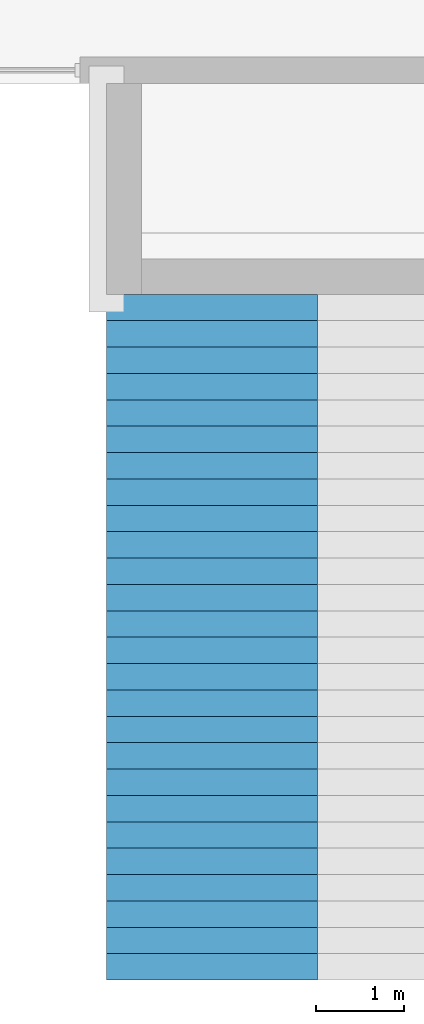
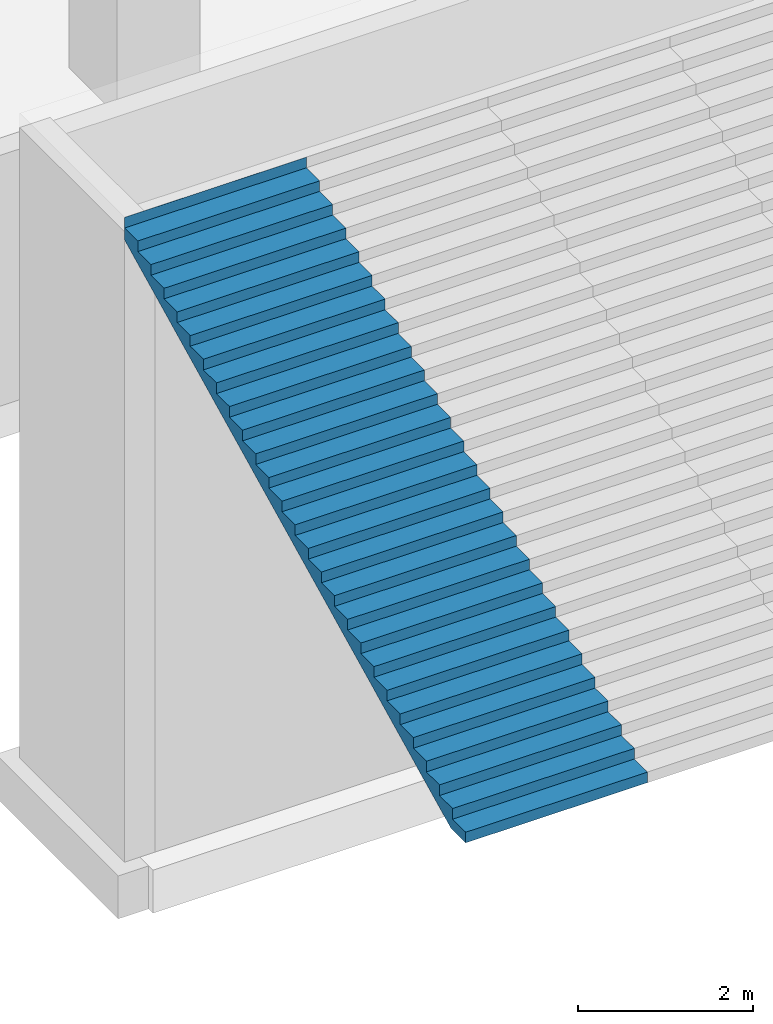
# One storey, part 23 of 45: 1 stair flight, 1 element without a shape of its own.
"""IFC4 building model written with IfcOpenShell, lengths in metres."""

from ifc_helpers import new_model, si_unit, direction, frame, origin, place, context, subcontext, project, spatial, triangles, material, type_object, element, aggregate, save


model = new_model("IFC4")

# Units and contexts
model_context = context("Model", 3, precision=1e-05, world=origin(), true_north=direction((0.0, 1.0)))
body_context = subcontext(model_context, "Body", "Model", "MODEL_VIEW")
ifc_project = project(units=[si_unit("LENGTHUNIT", "METRE"), si_unit("AREAUNIT", "SQUARE_METRE"), si_unit("VOLUMEUNIT", "CUBIC_METRE"), si_unit("PLANEANGLEUNIT", "RADIAN"), si_unit("MASSUNIT", "GRAM", prefix="KILO")], contexts=[model_context])

# Site, building, storey
site_placement = place(None, origin())
site = spatial("IfcSite", under=ifc_project, at=site_placement, CompositionType="ELEMENT")
building_placement = place(site_placement, origin())
building = spatial("IfcBuilding", under=site, at=building_placement, Name="Beryl Residences", CompositionType="ELEMENT")
storey_placement = place(building_placement, frame((0.0, 0.0, 5.0)))
storey = spatial("IfcBuildingStorey", under=building, at=storey_placement, Name="L01", CompositionType="ELEMENT", Elevation=5.0)

# Stair, stair flight
ifc_material_1 = material(Name="Precast concrete C40/50", Category="concrete")
stair_type = type_object("IfcStairType", Name="GS2 garden stair", PredefinedType="STRAIGHT_RUN_STAIR", material=ifc_material_1)
stair_placement = place(storey_placement, origin())
stair = element("IfcStair", 1, at=stair_placement, inside=storey, type_object=stair_type, Name="GS2 garden stair", PredefinedType="STRAIGHT_RUN_STAIR")
ifc_material_2 = material(Name="Precast concrete C40/50", Category="concrete")
stair_flight_type = type_object("IfcStairFlightType", Name="GF2 garden stair flight", PredefinedType="STRAIGHT", material=ifc_material_2)
stair_flight_placement = place(storey_placement, frame((-10.800048828125, -42.199951171875, 0.0), z_axis=(0.0, 0.0, 1.0), x_axis=(0.0, 1.0, 0.0)))
stair_flight = element("IfcStairFlight", 2, at=stair_flight_placement, type_object=stair_flight_type, Name="GS2 flight 1", NumberOfRisers=27, NumberOfTreads=26, PredefinedType="STRAIGHT", RiserHeight=0.148148148, TreadLength=0.3, context=body_context, shape_type="Tessellation", body=[
    triangles([(0.0, -1.199951171875, 0.0), (0.0, -0.60009765625, 0.0), (0.0, 0.0, 0.0), (0.0, 0.60009765625, 0.0), (0.0, 1.199951171875, 0.0), (0.0, -1.199951171875, 0.148193359375), (0.0, -0.60009765625, 0.148193359375), (0.0, 0.0, 0.148193359375), (0.0, 0.60009765625, 0.148193359375), (0.0, 1.199951171875, 0.148193359375), (0.300048828125, -1.199951171875, 0.148193359375), (0.300048828125, -0.60009765625, 0.148193359375), (0.300048828125, 0.0, 0.148193359375), (0.300048828125, 0.60009765625, 0.148193359375), (0.300048828125, 1.199951171875, 0.148193359375), (0.300048828125, -1.199951171875, 0.29638671875), (0.300048828125, -0.60009765625, 0.29638671875), (0.300048828125, 0.0, 0.29638671875), (0.300048828125, 0.60009765625, 0.29638671875), (0.300048828125, 1.199951171875, 0.29638671875), (0.60009765625, -1.199951171875, 0.29638671875), (0.60009765625, -0.60009765625, 0.29638671875), (0.60009765625, 0.0, 0.29638671875), (0.60009765625, 0.60009765625, 0.29638671875), (0.60009765625, 1.199951171875, 0.29638671875), (0.60009765625, -1.199951171875, 0.4443359375), (0.60009765625, -0.60009765625, 0.4443359375), (0.60009765625, 0.0, 0.4443359375), (0.60009765625, 0.60009765625, 0.4443359375), (0.60009765625, 1.199951171875, 0.4443359375), (0.89990234375, -1.199951171875, 0.4443359375), (0.89990234375, -0.60009765625, 0.4443359375), (0.89990234375, 0.0, 0.4443359375), (0.89990234375, 0.60009765625, 0.4443359375), (0.89990234375, 1.199951171875, 0.4443359375), (0.89990234375, -1.199951171875, 0.592529296875), (0.89990234375, -0.60009765625, 0.592529296875), (0.89990234375, 0.0, 0.592529296875), (0.89990234375, 0.60009765625, 0.592529296875), (0.89990234375, 1.199951171875, 0.592529296875), (1.199951171875, -1.199951171875, 0.592529296875), (1.199951171875, -0.60009765625, 0.592529296875), (1.199951171875, 0.0, 0.592529296875), (1.199951171875, 0.60009765625, 0.592529296875), (1.199951171875, 1.199951171875, 0.592529296875), (1.199951171875, -1.199951171875, 0.74072265625), (1.199951171875, -0.60009765625, 0.74072265625), (1.199951171875, 0.0, 0.74072265625), (1.199951171875, 0.60009765625, 0.74072265625), (1.199951171875, 1.199951171875, 0.74072265625), (1.5, -1.199951171875, 0.74072265625), (1.5, -0.60009765625, 0.74072265625), (1.5, 0.0, 0.74072265625), (1.5, 0.60009765625, 0.74072265625), (1.5, 1.199951171875, 0.74072265625), (1.5, -1.199951171875, 0.888916015625), (1.5, -0.60009765625, 0.888916015625), (1.5, 0.0, 0.888916015625), (1.5, 0.60009765625, 0.888916015625), (1.5, 1.199951171875, 0.888916015625), (1.800048828125, -1.199951171875, 0.888916015625), (1.800048828125, -0.60009765625, 0.888916015625), (1.800048828125, 0.0, 0.888916015625), (1.800048828125, 0.60009765625, 0.888916015625), (1.800048828125, 1.199951171875, 0.888916015625), (1.800048828125, -1.199951171875, 1.037109375), (1.800048828125, -0.60009765625, 1.037109375), (1.800048828125, 0.0, 1.037109375), (1.800048828125, 0.60009765625, 1.037109375), (1.800048828125, 1.199951171875, 1.037109375), (2.10009765625, -1.199951171875, 1.037109375), (2.10009765625, -0.60009765625, 1.037109375), (2.10009765625, 0.0, 1.037109375), (2.10009765625, 0.60009765625, 1.037109375), (2.10009765625, 1.199951171875, 1.037109375), (2.10009765625, -1.199951171875, 1.185302734375), (2.10009765625, -0.60009765625, 1.185302734375), (2.10009765625, 0.0, 1.185302734375), (2.10009765625, 0.60009765625, 1.185302734375), (2.10009765625, 1.199951171875, 1.185302734375), (2.39990234375, -1.199951171875, 1.185302734375), (2.39990234375, -0.60009765625, 1.185302734375), (2.39990234375, 0.0, 1.185302734375), (2.39990234375, 0.60009765625, 1.185302734375), (2.39990234375, 1.199951171875, 1.185302734375), (2.39990234375, -1.199951171875, 1.333251953125), (2.39990234375, -0.60009765625, 1.333251953125), (2.39990234375, 0.0, 1.333251953125), (2.39990234375, 0.60009765625, 1.333251953125), (2.39990234375, 1.199951171875, 1.333251953125), (2.699951171875, -1.199951171875, 1.333251953125), (2.699951171875, -0.60009765625, 1.333251953125), (2.699951171875, 0.0, 1.333251953125), (2.699951171875, 0.60009765625, 1.333251953125), (2.699951171875, 1.199951171875, 1.333251953125), (2.699951171875, -1.199951171875, 1.4814453125), (2.699951171875, -0.60009765625, 1.4814453125), (2.699951171875, 0.0, 1.4814453125), (2.699951171875, 0.60009765625, 1.4814453125), (2.699951171875, 1.199951171875, 1.4814453125), (3.0, -1.199951171875, 1.4814453125), (3.0, -0.60009765625, 1.4814453125), (3.0, 0.0, 1.4814453125), (3.0, 0.60009765625, 1.4814453125), (3.0, 1.199951171875, 1.4814453125), (3.0, -1.199951171875, 1.629638671875), (3.0, -0.60009765625, 1.629638671875), (3.0, 0.0, 1.629638671875), (3.0, 0.60009765625, 1.629638671875), (3.0, 1.199951171875, 1.629638671875), (3.300048828125, -1.199951171875, 1.629638671875), (3.300048828125, -0.60009765625, 1.629638671875), (3.300048828125, 0.0, 1.629638671875), (3.300048828125, 0.60009765625, 1.629638671875), (3.300048828125, 1.199951171875, 1.629638671875), (3.300048828125, -1.199951171875, 1.77783203125), (3.300048828125, -0.60009765625, 1.77783203125), (3.300048828125, 0.0, 1.77783203125), (3.300048828125, 0.60009765625, 1.77783203125), (3.300048828125, 1.199951171875, 1.77783203125), (3.60009765625, -1.199951171875, 1.77783203125), (3.60009765625, -0.60009765625, 1.77783203125), (3.60009765625, 0.0, 1.77783203125), (3.60009765625, 0.60009765625, 1.77783203125), (3.60009765625, 1.199951171875, 1.77783203125), (3.60009765625, -1.199951171875, 1.926025390625), (3.60009765625, -0.60009765625, 1.926025390625), (3.60009765625, 0.0, 1.926025390625), (3.60009765625, 0.60009765625, 1.926025390625), (3.60009765625, 1.199951171875, 1.926025390625), (3.89990234375, -1.199951171875, 1.926025390625), (3.89990234375, -0.60009765625, 1.926025390625), (3.89990234375, 0.0, 1.926025390625), (3.89990234375, 0.60009765625, 1.926025390625), (3.89990234375, 1.199951171875, 1.926025390625), (3.89990234375, -1.199951171875, 2.073974609375), (3.89990234375, -0.60009765625, 2.073974609375), (3.89990234375, 0.0, 2.073974609375), (3.89990234375, 0.60009765625, 2.073974609375), (3.89990234375, 1.199951171875, 2.073974609375), (4.199951171875, -1.199951171875, 2.073974609375), (4.199951171875, -0.60009765625, 2.073974609375), (4.199951171875, 0.0, 2.073974609375), (4.199951171875, 0.60009765625, 2.073974609375), (4.199951171875, 1.199951171875, 2.073974609375), (4.199951171875, -1.199951171875, 2.22216796875), (4.199951171875, -0.60009765625, 2.22216796875), (4.199951171875, 0.0, 2.22216796875), (4.199951171875, 0.60009765625, 2.22216796875), (4.199951171875, 1.199951171875, 2.22216796875), (4.5, -1.199951171875, 2.22216796875), (4.5, -0.60009765625, 2.22216796875), (4.5, 0.0, 2.22216796875), (4.5, 0.60009765625, 2.22216796875), (4.5, 1.199951171875, 2.22216796875), (4.5, -1.199951171875, 2.370361328125), (4.5, -0.60009765625, 2.370361328125), (4.5, 0.0, 2.370361328125), (4.5, 0.60009765625, 2.370361328125), (4.5, 1.199951171875, 2.370361328125), (4.800048828125, -1.199951171875, 2.370361328125), (4.800048828125, -0.60009765625, 2.370361328125), (4.800048828125, 0.0, 2.370361328125), (4.800048828125, 0.60009765625, 2.370361328125), (4.800048828125, 1.199951171875, 2.370361328125), (4.800048828125, -1.199951171875, 2.5185546875), (4.800048828125, -0.60009765625, 2.5185546875), (4.800048828125, 0.0, 2.5185546875), (4.800048828125, 0.60009765625, 2.5185546875), (4.800048828125, 1.199951171875, 2.5185546875), (5.10009765625, -1.199951171875, 2.5185546875), (5.10009765625, -0.60009765625, 2.5185546875), (5.10009765625, 0.0, 2.5185546875), (5.10009765625, 0.60009765625, 2.5185546875), (5.10009765625, 1.199951171875, 2.5185546875), (5.10009765625, -1.199951171875, 2.666748046875), (5.10009765625, -0.60009765625, 2.666748046875), (5.10009765625, 0.0, 2.666748046875), (5.10009765625, 0.60009765625, 2.666748046875), (5.10009765625, 1.199951171875, 2.666748046875), (5.39990234375, -1.199951171875, 2.666748046875), (5.39990234375, -0.60009765625, 2.666748046875), (5.39990234375, 0.0, 2.666748046875), (5.39990234375, 0.60009765625, 2.666748046875), (5.39990234375, 1.199951171875, 2.666748046875), (5.39990234375, -1.199951171875, 2.814697265625), (5.39990234375, -0.60009765625, 2.814697265625), (5.39990234375, 0.0, 2.814697265625), (5.39990234375, 0.60009765625, 2.814697265625), (5.39990234375, 1.199951171875, 2.814697265625), (5.699951171875, -1.199951171875, 2.814697265625), (5.699951171875, -0.60009765625, 2.814697265625), (5.699951171875, 0.0, 2.814697265625), (5.699951171875, 0.60009765625, 2.814697265625), (5.699951171875, 1.199951171875, 2.814697265625), (5.699951171875, -1.199951171875, 2.962890625), (5.699951171875, -0.60009765625, 2.962890625), (5.699951171875, 0.0, 2.962890625), (5.699951171875, 0.60009765625, 2.962890625), (5.699951171875, 1.199951171875, 2.962890625), (6.0, -1.199951171875, 2.962890625), (6.0, -0.60009765625, 2.962890625), (6.0, 0.0, 2.962890625), (6.0, 0.60009765625, 2.962890625), (6.0, 1.199951171875, 2.962890625), (6.0, -1.199951171875, 3.111083984375), (6.0, -0.60009765625, 3.111083984375), (6.0, 0.0, 3.111083984375), (6.0, 0.60009765625, 3.111083984375), (6.0, 1.199951171875, 3.111083984375), (6.300048828125, -1.199951171875, 3.111083984375), (6.300048828125, -0.60009765625, 3.111083984375), (6.300048828125, 0.0, 3.111083984375), (6.300048828125, 0.60009765625, 3.111083984375), (6.300048828125, 1.199951171875, 3.111083984375), (6.300048828125, -1.199951171875, 3.25927734375), (6.300048828125, -0.60009765625, 3.25927734375), (6.300048828125, 0.0, 3.25927734375), (6.300048828125, 0.60009765625, 3.25927734375), (6.300048828125, 1.199951171875, 3.25927734375), (6.60009765625, -1.199951171875, 3.25927734375), (6.60009765625, -0.60009765625, 3.25927734375), (6.60009765625, 0.0, 3.25927734375), (6.60009765625, 0.60009765625, 3.25927734375), (6.60009765625, 1.199951171875, 3.25927734375), (6.60009765625, -1.199951171875, 3.407470703125), (6.60009765625, -0.60009765625, 3.407470703125), (6.60009765625, 0.0, 3.407470703125), (6.60009765625, 0.60009765625, 3.407470703125), (6.60009765625, 1.199951171875, 3.407470703125), (6.89990234375, -1.199951171875, 3.407470703125), (6.89990234375, -0.60009765625, 3.407470703125), (6.89990234375, 0.0, 3.407470703125), (6.89990234375, 0.60009765625, 3.407470703125), (6.89990234375, 1.199951171875, 3.407470703125), (6.89990234375, -1.199951171875, 3.5556640625), (6.89990234375, -0.60009765625, 3.5556640625), (6.89990234375, 0.0, 3.5556640625), (6.89990234375, 0.60009765625, 3.5556640625), (6.89990234375, 1.199951171875, 3.5556640625), (7.199951171875, -1.199951171875, 3.5556640625), (7.199951171875, -0.60009765625, 3.5556640625), (7.199951171875, 0.0, 3.5556640625), (7.199951171875, 0.60009765625, 3.5556640625), (7.199951171875, 1.199951171875, 3.5556640625), (7.199951171875, -1.199951171875, 3.70361328125), (7.199951171875, -0.60009765625, 3.70361328125), (7.199951171875, 0.0, 3.70361328125), (7.199951171875, 0.60009765625, 3.70361328125), (7.199951171875, 1.199951171875, 3.70361328125), (7.5, -1.199951171875, 3.70361328125), (7.5, -0.60009765625, 3.70361328125), (7.5, 0.0, 3.70361328125), (7.5, 0.60009765625, 3.70361328125), (7.5, 1.199951171875, 3.70361328125), (7.5, -1.199951171875, 3.851806640625), (7.5, -0.60009765625, 3.851806640625), (7.5, 0.0, 3.851806640625), (7.5, 0.60009765625, 3.851806640625), (7.5, 1.199951171875, 3.851806640625), (7.800048828125, -1.199951171875, 3.851806640625), (7.800048828125, -0.60009765625, 3.851806640625), (7.800048828125, 0.0, 3.851806640625), (7.800048828125, 0.60009765625, 3.851806640625), (7.800048828125, 1.199951171875, 3.851806640625), (7.800048828125, -1.199951171875, 4.0), (7.800048828125, -0.60009765625, 4.0), (7.800048828125, 0.0, 4.0), (7.800048828125, 0.60009765625, 4.0), (7.800048828125, 1.199951171875, 4.0), (7.801025390625, -1.199951171875, 4.0), (7.801025390625, -0.60009765625, 4.0), (7.801025390625, 0.0, 4.0), (7.801025390625, 0.60009765625, 4.0), (7.801025390625, 1.199951171875, 4.0), (7.801025390625, -1.199951171875, 3.6845703125), (7.801025390625, -0.60009765625, 3.6845703125), (7.801025390625, 0.0, 3.6845703125), (7.801025390625, 0.60009765625, 3.6845703125), (7.801025390625, 1.199951171875, 3.6845703125), (0.339599609375, -1.199951171875, 0.0), (0.339599609375, -0.60009765625, 0.0), (0.339599609375, 0.0, 0.0), (0.339599609375, 0.60009765625, 0.0), (0.339599609375, 1.199951171875, 0.0)], [[1, 6, 7], [1, 7, 2], [2, 7, 8], [2, 8, 3], [3, 8, 9], [3, 9, 4], [4, 9, 10], [4, 10, 5], [6, 11, 12], [6, 12, 7], [7, 12, 13], [7, 13, 8], [8, 13, 14], [8, 14, 9], [9, 14, 15], [9, 15, 10], [11, 16, 17], [11, 17, 12], [12, 17, 18], [12, 18, 13], [13, 18, 19], [13, 19, 14], [14, 19, 20], [14, 20, 15], [16, 21, 22], [16, 22, 17], [17, 22, 23], [17, 23, 18], [18, 23, 24], [18, 24, 19], [19, 24, 25], [19, 25, 20], [21, 26, 27], [21, 27, 22], [22, 27, 28], [22, 28, 23], [23, 28, 29], [23, 29, 24], [24, 29, 30], [24, 30, 25], [26, 31, 32], [26, 32, 27], [27, 32, 33], [27, 33, 28], [28, 33, 34], [28, 34, 29], [29, 34, 35], [29, 35, 30], [31, 36, 37], [31, 37, 32], [32, 37, 38], [32, 38, 33], [33, 38, 39], [33, 39, 34], [34, 39, 40], [34, 40, 35], [36, 41, 42], [36, 42, 37], [37, 42, 43], [37, 43, 38], [38, 43, 44], [38, 44, 39], [39, 44, 45], [39, 45, 40], [41, 46, 47], [41, 47, 42], [42, 47, 48], [42, 48, 43], [43, 48, 49], [43, 49, 44], [44, 49, 50], [44, 50, 45], [46, 51, 52], [46, 52, 47], [47, 52, 53], [47, 53, 48], [48, 53, 54], [48, 54, 49], [49, 54, 55], [49, 55, 50], [51, 56, 57], [51, 57, 52], [52, 57, 58], [52, 58, 53], [53, 58, 59], [53, 59, 54], [54, 59, 60], [54, 60, 55], [56, 61, 62], [56, 62, 57], [57, 62, 63], [57, 63, 58], [58, 63, 64], [58, 64, 59], [59, 64, 65], [59, 65, 60], [61, 66, 67], [61, 67, 62], [62, 67, 68], [62, 68, 63], [63, 68, 69], [63, 69, 64], [64, 69, 70], [64, 70, 65], [66, 71, 72], [66, 72, 67], [67, 72, 73], [67, 73, 68], [68, 73, 74], [68, 74, 69], [69, 74, 75], [69, 75, 70], [71, 76, 77], [71, 77, 72], [72, 77, 78], [72, 78, 73], [73, 78, 79], [73, 79, 74], [74, 79, 80], [74, 80, 75], [76, 81, 82], [76, 82, 77], [77, 82, 83], [77, 83, 78], [78, 83, 84], [78, 84, 79], [79, 84, 85], [79, 85, 80], [81, 86, 87], [81, 87, 82], [82, 87, 88], [82, 88, 83], [83, 88, 89], [83, 89, 84], [84, 89, 90], [84, 90, 85], [86, 91, 92], [86, 92, 87], [87, 92, 93], [87, 93, 88], [88, 93, 94], [88, 94, 89], [89, 94, 95], [89, 95, 90], [91, 96, 97], [91, 97, 92], [92, 97, 98], [92, 98, 93], [93, 98, 99], [93, 99, 94], [94, 99, 100], [94, 100, 95], [96, 101, 102], [96, 102, 97], [97, 102, 103], [97, 103, 98], [98, 103, 104], [98, 104, 99], [99, 104, 105], [99, 105, 100], [101, 106, 107], [101, 107, 102], [102, 107, 108], [102, 108, 103], [103, 108, 109], [103, 109, 104], [104, 109, 110], [104, 110, 105], [106, 111, 112], [106, 112, 107], [107, 112, 113], [107, 113, 108], [108, 113, 114], [108, 114, 109], [109, 114, 115], [109, 115, 110], [111, 116, 117], [111, 117, 112], [112, 117, 118], [112, 118, 113], [113, 118, 119], [113, 119, 114], [114, 119, 120], [114, 120, 115], [116, 121, 122], [116, 122, 117], [117, 122, 123], [117, 123, 118], [118, 123, 124], [118, 124, 119], [119, 124, 125], [119, 125, 120], [121, 126, 127], [121, 127, 122], [122, 127, 128], [122, 128, 123], [123, 128, 129], [123, 129, 124], [124, 129, 130], [124, 130, 125], [126, 131, 132], [126, 132, 127], [127, 132, 133], [127, 133, 128], [128, 133, 134], [128, 134, 129], [129, 134, 135], [129, 135, 130], [131, 136, 137], [131, 137, 132], [132, 137, 138], [132, 138, 133], [133, 138, 139], [133, 139, 134], [134, 139, 140], [134, 140, 135], [136, 141, 142], [136, 142, 137], [137, 142, 143], [137, 143, 138], [138, 143, 144], [138, 144, 139], [139, 144, 145], [139, 145, 140], [141, 146, 147], [141, 147, 142], [142, 147, 148], [142, 148, 143], [143, 148, 149], [143, 149, 144], [144, 149, 150], [144, 150, 145], [146, 151, 152], [146, 152, 147], [147, 152, 153], [147, 153, 148], [148, 153, 154], [148, 154, 149], [149, 154, 155], [149, 155, 150], [151, 156, 157], [151, 157, 152], [152, 157, 158], [152, 158, 153], [153, 158, 159], [153, 159, 154], [154, 159, 160], [154, 160, 155], [156, 161, 162], [156, 162, 157], [157, 162, 163], [157, 163, 158], [158, 163, 164], [158, 164, 159], [159, 164, 165], [159, 165, 160], [161, 166, 167], [161, 167, 162], [162, 167, 168], [162, 168, 163], [163, 168, 169], [163, 169, 164], [164, 169, 170], [164, 170, 165], [166, 171, 172], [166, 172, 167], [167, 172, 173], [167, 173, 168], [168, 173, 174], [168, 174, 169], [169, 174, 175], [169, 175, 170], [171, 176, 177], [171, 177, 172], [172, 177, 178], [172, 178, 173], [173, 178, 179], [173, 179, 174], [174, 179, 180], [174, 180, 175], [176, 181, 182], [176, 182, 177], [177, 182, 183], [177, 183, 178], [178, 183, 184], [178, 184, 179], [179, 184, 185], [179, 185, 180], [181, 186, 187], [181, 187, 182], [182, 187, 188], [182, 188, 183], [183, 188, 189], [183, 189, 184], [184, 189, 190], [184, 190, 185], [186, 191, 192], [186, 192, 187], [187, 192, 193], [187, 193, 188], [188, 193, 194], [188, 194, 189], [189, 194, 195], [189, 195, 190], [191, 196, 197], [191, 197, 192], [192, 197, 198], [192, 198, 193], [193, 198, 199], [193, 199, 194], [194, 199, 200], [194, 200, 195], [196, 201, 202], [196, 202, 197], [197, 202, 203], [197, 203, 198], [198, 203, 204], [198, 204, 199], [199, 204, 205], [199, 205, 200], [201, 206, 207], [201, 207, 202], [202, 207, 208], [202, 208, 203], [203, 208, 209], [203, 209, 204], [204, 209, 210], [204, 210, 205], [206, 211, 212], [206, 212, 207], [207, 212, 213], [207, 213, 208], [208, 213, 214], [208, 214, 209], [209, 214, 215], [209, 215, 210], [211, 216, 217], [211, 217, 212], [212, 217, 218], [212, 218, 213], [213, 218, 219], [213, 219, 214], [214, 219, 220], [214, 220, 215], [216, 221, 222], [216, 222, 217], [217, 222, 223], [217, 223, 218], [218, 223, 224], [218, 224, 219], [219, 224, 225], [219, 225, 220], [221, 226, 227], [221, 227, 222], [222, 227, 228], [222, 228, 223], [223, 228, 229], [223, 229, 224], [224, 229, 230], [224, 230, 225], [226, 231, 232], [226, 232, 227], [227, 232, 233], [227, 233, 228], [228, 233, 234], [228, 234, 229], [229, 234, 235], [229, 235, 230], [231, 236, 237], [231, 237, 232], [232, 237, 238], [232, 238, 233], [233, 238, 239], [233, 239, 234], [234, 239, 240], [234, 240, 235], [236, 241, 242], [236, 242, 237], [237, 242, 243], [237, 243, 238], [238, 243, 244], [238, 244, 239], [239, 244, 245], [239, 245, 240], [241, 246, 247], [241, 247, 242], [242, 247, 248], [242, 248, 243], [243, 248, 249], [243, 249, 244], [244, 249, 250], [244, 250, 245], [246, 251, 252], [246, 252, 247], [247, 252, 253], [247, 253, 248], [248, 253, 254], [248, 254, 249], [249, 254, 255], [249, 255, 250], [251, 256, 257], [251, 257, 252], [252, 257, 258], [252, 258, 253], [253, 258, 259], [253, 259, 254], [254, 259, 260], [254, 260, 255], [256, 261, 262], [256, 262, 257], [257, 262, 263], [257, 263, 258], [258, 263, 264], [258, 264, 259], [259, 264, 265], [259, 265, 260], [261, 266, 267], [261, 267, 262], [262, 267, 268], [262, 268, 263], [263, 268, 269], [263, 269, 264], [264, 269, 270], [264, 270, 265], [266, 271, 272], [266, 272, 267], [267, 272, 273], [267, 273, 268], [268, 273, 274], [268, 274, 269], [269, 274, 275], [269, 275, 270], [271, 276, 277], [271, 277, 272], [272, 277, 278], [272, 278, 273], [273, 278, 279], [273, 279, 274], [274, 279, 280], [274, 280, 275], [276, 281, 282], [276, 282, 277], [277, 282, 283], [277, 283, 278], [278, 283, 284], [278, 284, 279], [279, 284, 285], [279, 285, 280], [281, 1, 2], [281, 2, 282], [282, 2, 3], [282, 3, 283], [283, 3, 4], [283, 4, 284], [284, 4, 5], [284, 5, 285], [1, 281, 276], [5, 280, 285], [276, 271, 266], [280, 270, 275], [276, 266, 261], [280, 265, 270], [276, 261, 256], [280, 260, 265], [276, 256, 251], [280, 255, 260], [276, 251, 246], [280, 250, 255], [276, 246, 241], [280, 245, 250], [241, 236, 231], [245, 235, 240], [276, 241, 231], [280, 235, 245], [231, 226, 221], [235, 225, 230], [276, 231, 221], [280, 225, 235], [221, 216, 211], [225, 215, 220], [276, 221, 211], [280, 215, 225], [211, 206, 201], [215, 205, 210], [276, 211, 201], [280, 205, 215], [201, 196, 191], [205, 195, 200], [276, 201, 191], [280, 195, 205], [191, 186, 181], [195, 185, 190], [276, 191, 181], [280, 185, 195], [181, 176, 171], [185, 175, 180], [276, 181, 171], [280, 175, 185], [171, 166, 161], [175, 165, 170], [276, 171, 161], [280, 165, 175], [161, 156, 151], [165, 155, 160], [276, 161, 151], [280, 155, 165], [151, 146, 141], [155, 145, 150], [276, 151, 141], [280, 145, 155], [141, 136, 131], [145, 135, 140], [276, 141, 131], [280, 135, 145], [131, 126, 121], [135, 125, 130], [276, 131, 121], [280, 125, 135], [121, 116, 111], [125, 115, 120], [276, 121, 111], [280, 115, 125], [111, 106, 101], [115, 105, 110], [276, 111, 101], [280, 105, 115], [101, 96, 91], [105, 95, 100], [276, 101, 91], [280, 95, 105], [91, 86, 81], [95, 85, 90], [276, 91, 81], [280, 85, 95], [81, 76, 71], [85, 75, 80], [276, 81, 71], [280, 75, 85], [71, 66, 61], [75, 65, 70], [276, 71, 61], [280, 65, 75], [61, 56, 51], [65, 55, 60], [276, 61, 51], [280, 55, 65], [51, 46, 41], [55, 45, 50], [276, 51, 41], [280, 45, 55], [41, 36, 31], [45, 35, 40], [276, 41, 31], [280, 35, 45], [1, 276, 31], [5, 35, 280], [31, 26, 21], [35, 25, 30], [21, 16, 11], [25, 15, 20], [31, 21, 11], [35, 15, 25], [1, 31, 11], [5, 15, 35], [11, 6, 1], [15, 5, 10]], closed=True),
])
aggregate(stair, [stair_flight])

save(model, "model.ifc")
